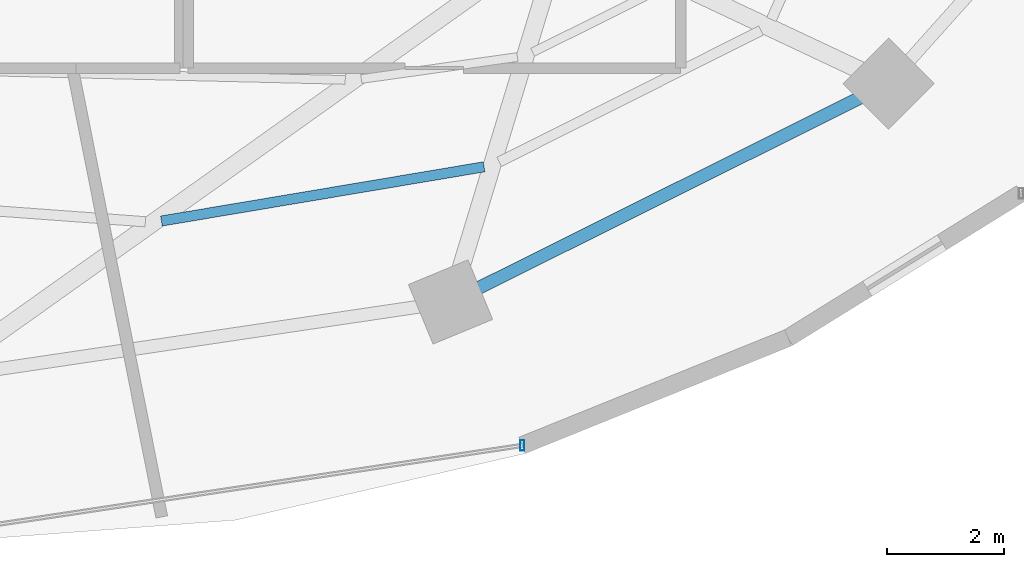
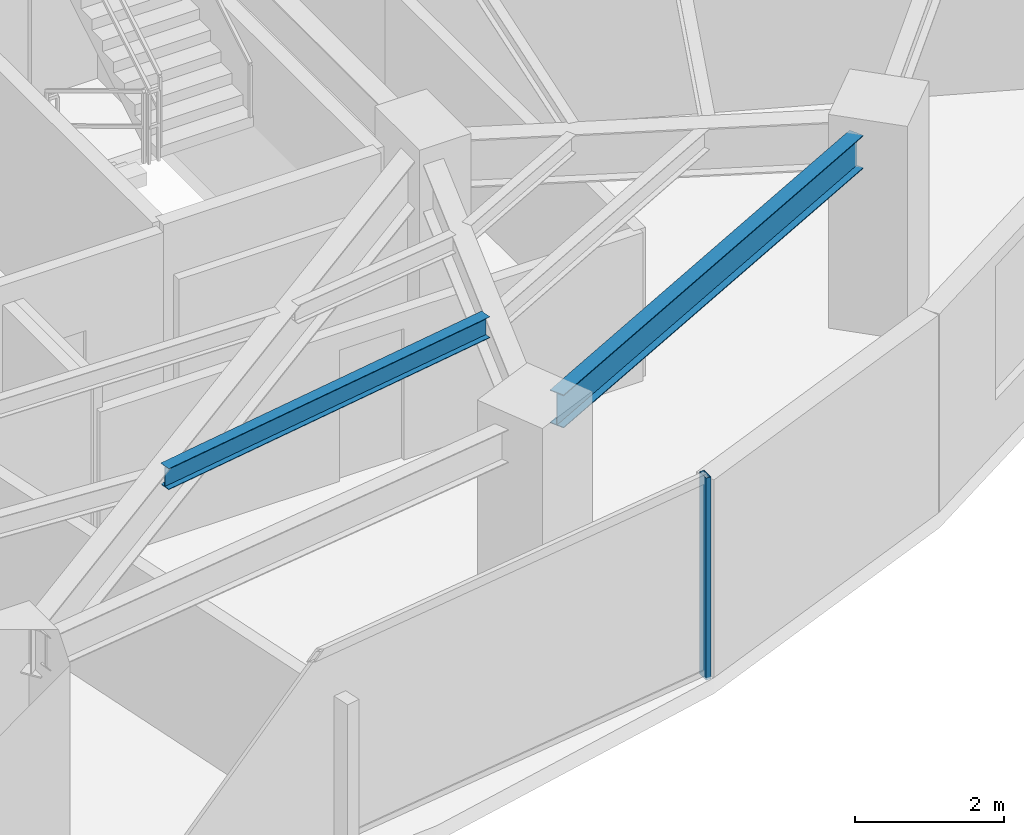
# One storey, part 11 of 29: 2 beams, 1 member, 1 element without a shape of its own.
"""IFC4 building model written with IfcOpenShell, lengths in metres."""

from ifc_helpers import new_model, si_unit, direction, frame, origin, origin_2d, place, context, subcontext, project, spatial, hollow_rectangle, i_section, extrude, material, material_profile, profile_set, type_object, element, aggregate, save


model = new_model("IFC4")

# Units and contexts
model_context = context("Model", 3, precision=1e-05, world=origin(), true_north=direction((0.0, 1.0)))
body_context = subcontext(model_context, "Body", "Model", "MODEL_VIEW")
ifc_project = project(units=[si_unit("LENGTHUNIT", "METRE"), si_unit("AREAUNIT", "SQUARE_METRE"), si_unit("VOLUMEUNIT", "CUBIC_METRE"), si_unit("PLANEANGLEUNIT", "RADIAN"), si_unit("MASSUNIT", "GRAM", prefix="KILO")], contexts=[model_context])

# Site, building, storey
site_placement = place(None, origin())
site = spatial("IfcSite", under=ifc_project, at=site_placement, CompositionType="ELEMENT")
building_placement = place(site_placement, origin())
building = spatial("IfcBuilding", under=site, at=building_placement, Name="Vorneva Point Tower", CompositionType="ELEMENT")
storey_placement = place(building_placement, frame((0.0, 0.0, 85.800048828125)))
storey = spatial("IfcBuildingStorey", under=building, at=storey_placement, Name="L22", CompositionType="ELEMENT", Elevation=85.800048828125)

# Beams
ifc_material_1 = material(Name="Steel S355", Category="steel")
ifc_material_profile_1 = material_profile(ifc_material_1, i_section(OverallWidth=0.174072265625, OverallDepth=0.345947265625, WebThickness=0.006103515625, FlangeThickness=0.009033203125, at=origin_2d()), Name="35B1")
ifc_profile_set_1 = profile_set([ifc_material_profile_1], Name="Steel S355")
beam_type_1 = type_object("IfcBeamType", Name="BM-SEC-35B1", PredefinedType="BEAM", material=ifc_profile_set_1)
beam_1_placement = place(storey_placement, frame((41.8857421875, 11.4912109375, 3.06689453125), z_axis=(0.986181637233, 0.165667674532, 0.0), x_axis=(-0.165667674532, 0.986181637233, 0.0)))
element("IfcBeam", 1, at=beam_1_placement, inside=storey, type_object=beam_type_1, Name="L22 Secondary Floor Beam 1.13", PredefinedType="BEAM", context=body_context, shape_type="SweptSolid", body=[
    extrude(i_section(OverallWidth=0.174072265625, OverallDepth=0.345947265625, WebThickness=0.006103515625, FlangeThickness=0.009033203125, at=origin_2d()), origin(), (0.0, 0.0, 1.0), 5.585205078125),
])
ifc_material_profile_2 = material_profile(ifc_material_1, i_section(OverallWidth=0.219970703125, OverallDepth=0.54296875, WebThickness=0.009521484375, FlangeThickness=0.013427734375, at=origin_2d()), Name="55B1")
ifc_profile_set_2 = profile_set([ifc_material_profile_2], Name="Steel S355")
beam_type_2 = type_object("IfcBeamType", Name="BM-SPN-55B1", PredefinedType="SPANDREL", material=ifc_profile_set_2)
beam_2_placement = place(storey_placement, frame((47.2998046875, 10.347900390625, 2.968505859375), z_axis=(0.894915882304, 0.446234874926, 0.0), x_axis=(-0.446234874926, 0.894915882304, 0.0)))
element("IfcBeam", 2, at=beam_2_placement, inside=storey, type_object=beam_type_2, Name="L22 Perimeter Spandrel Ring Beam 14", PredefinedType="SPANDREL", context=body_context, shape_type="SweptSolid", body=[
    extrude(i_section(OverallWidth=0.219970703125, OverallDepth=0.54296875, WebThickness=0.009521484375, FlangeThickness=0.013427734375, at=origin_2d()), origin(), (0.0, 0.0, 1.0), 7.285888671875),
])

# Curtain wall, member
ifc_material_2 = material(Name="Pale anodised aluminium", Category="aluminium")
curtain_wall_type = type_object("IfcCurtainWallType", Name="CW-HTL-SYS", PredefinedType="NOTDEFINED", material=ifc_material_2)
curtain_wall_placement = place(storey_placement, origin())
curtain_wall = element("IfcCurtainWall", 3, at=curtain_wall_placement, inside=storey, type_object=curtain_wall_type, Name="L22 Unitised Curtain Wall CW-L22-R03", PredefinedType="NOTDEFINED")
ifc_material_profile_3 = material_profile(ifc_material_2, hollow_rectangle(XDim=0.074951171875, YDim=0.179931640625, WallThickness=0.00390625, at=origin_2d()), Name="AL-MUL 180x75x4")
ifc_profile_set_3 = profile_set([ifc_material_profile_3], Name="Pale anodised aluminium")
member_type = type_object("IfcMemberType", Name="CW-MUL-180", PredefinedType="MULLION", material=ifc_profile_set_3)
member_placement = place(storey_placement, frame((48.04541015625, 7.660888671875, -0.0400390625), z_axis=(0.0, 0.0, 1.0), x_axis=(1.0, 0.0, 0.0)))
member = element("IfcMember", 4, at=member_placement, type_object=member_type, Name="CW-L22-R03 Mullion 03", PredefinedType="MULLION", context=body_context, shape_type="SweptSolid", body=[
    extrude(hollow_rectangle(XDim=0.074951171875, YDim=0.179931640625, WallThickness=0.00390625, at=origin_2d()), origin(), (0.0, 0.0, 1.0), 3.31005859375),
])
aggregate(curtain_wall, [member])

save(model, "model.ifc")
